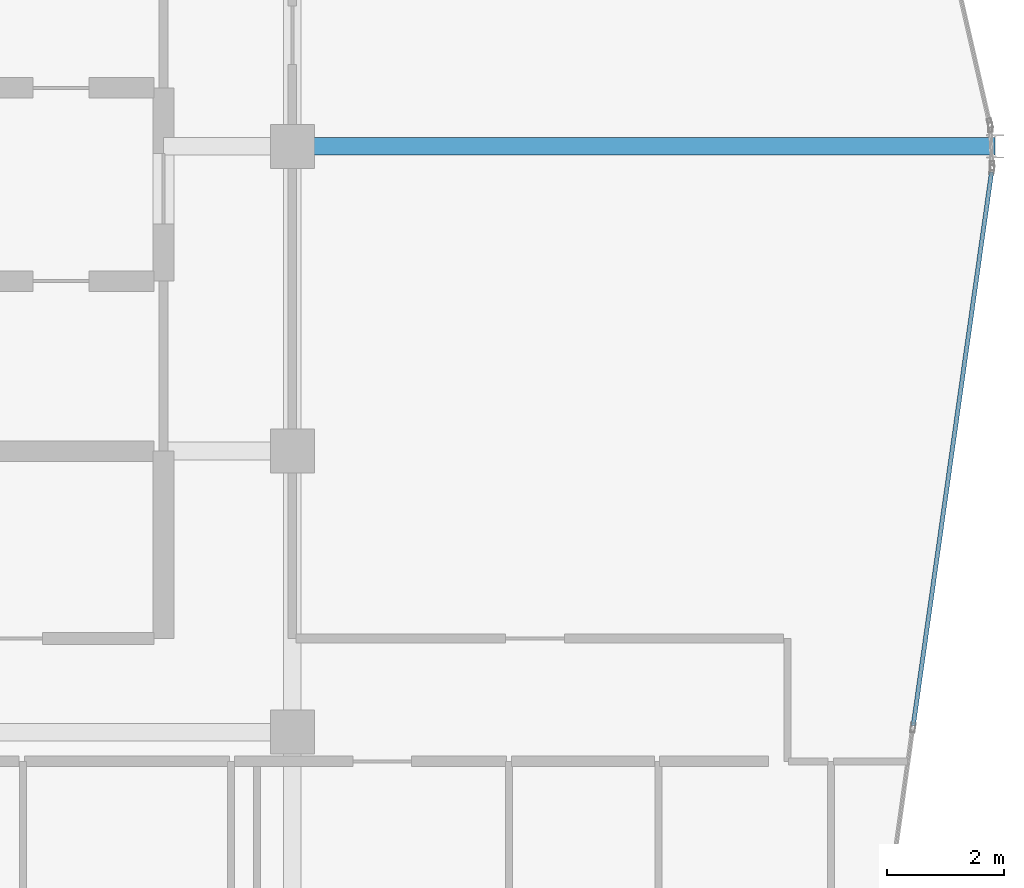
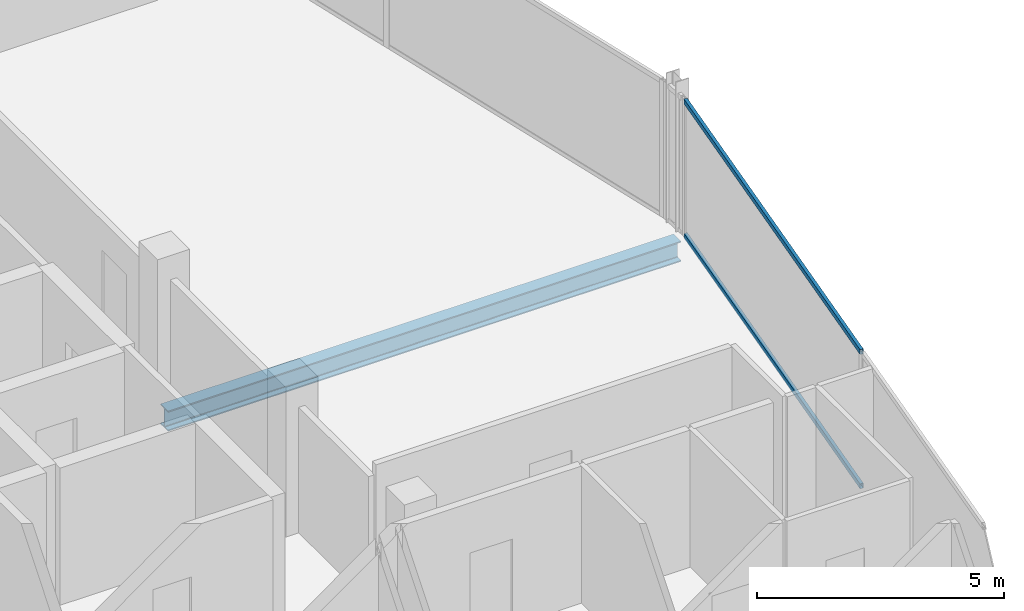
# One storey, part 13 of 27: 2 members, 1 beam, 1 element without a shape of its own.
"""IFC4 building model written with IfcOpenShell, lengths in metres."""

from ifc_helpers import new_model, si_unit, direction, frame, origin, origin_2d, place, context, subcontext, project, spatial, hollow_rectangle, i_section, extrude, material, layer, layer_set, material_profile, profile_set, type_object, element, aggregate, save


model = new_model("IFC4")

# Units and contexts
model_context = context("Model", 3, precision=1e-05, world=origin(), true_north=direction((0.0, 1.0)))
body_context = subcontext(model_context, "Body", "Model", "MODEL_VIEW")
ifc_project = project(units=[si_unit("LENGTHUNIT", "METRE"), si_unit("AREAUNIT", "SQUARE_METRE"), si_unit("VOLUMEUNIT", "CUBIC_METRE"), si_unit("PLANEANGLEUNIT", "RADIAN"), si_unit("MASSUNIT", "GRAM", prefix="KILO")], contexts=[model_context])

# Site, building, storey
site_placement = place(None, origin())
site = spatial("IfcSite", under=ifc_project, at=site_placement, CompositionType="ELEMENT")
building_placement = place(site_placement, origin())
building = spatial("IfcBuilding", under=site, at=building_placement, Name="Keshet Zoharim Tower", CompositionType="ELEMENT")
storey_placement = place(building_placement, frame((0.0, 0.0, 254.699951171875)))
storey = spatial("IfcBuildingStorey", under=building, at=storey_placement, Name="L63", CompositionType="ELEMENT", Elevation=254.699951171875)

# Beam
ifc_material_1 = material(Name="Steel S355", Category="steel")
ifc_material_profile_1 = material_profile(ifc_material_1, i_section(OverallWidth=0.300048828125, OverallDepth=0.5, WebThickness=0.014404296875, FlangeThickness=0.028076171875, FilletRadius=0.027099609375, at=origin_2d()), Name="HEB500")
ifc_profile_set_1 = profile_set([ifc_material_profile_1], Name="Steel S355")
beam_type = type_object("IfcBeamType", Name="BM-MED-HB500", PredefinedType="BEAM", material=ifc_profile_set_1)
beam_placement = place(storey_placement, frame((33.0, 27.89990234375, -0.56005859375), z_axis=(1.0, 0.0, 0.0), x_axis=(0.0, 1.0, 0.0)))
element("IfcBeam", 1, at=beam_placement, inside=storey, type_object=beam_type, Name="L63 Primary Girder X-007", PredefinedType="BEAM", context=body_context, shape_type="SweptSolid", body=[
    extrude(i_section(OverallWidth=0.300048828125, OverallDepth=0.5, WebThickness=0.014404296875, FlangeThickness=0.028076171875, FilletRadius=0.027099609375, at=origin_2d()), origin(), (0.0, 0.0, 1.0), 12.0),
])

# Curtain wall, members
ifc_material_2 = material(Name="Aluminium 6063-T6", Category="aluminium")
ifc_layer = layer(ifc_material_2, 0.260009765625)
ifc_layer_set = layer_set([ifc_layer], Name="Aluminium 6063-T6")
curtain_wall_type = type_object("IfcCurtainWallType", Name="CW-SYS-06", PredefinedType="NOTDEFINED", material=ifc_layer_set)
curtain_wall_placement = place(storey_placement, origin())
curtain_wall = element("IfcCurtainWall", 2, at=curtain_wall_placement, inside=storey, type_object=curtain_wall_type, Name="L63 Unitised Curtain Wall 11", PredefinedType="NOTDEFINED")
ifc_material_profile_2 = material_profile(ifc_material_2, hollow_rectangle(XDim=0.074951171875, YDim=0.1201171875, WallThickness=0.00390625, at=origin_2d()), Name="TRN-75x120")
ifc_profile_set_2 = profile_set([ifc_material_profile_2], Name="Aluminium 6063-T6")
member_type = type_object("IfcMemberType", Name="CWT-T12", PredefinedType="USERDEFINED", material=ifc_profile_set_2)
member_1_placement = place(storey_placement, frame((44.938232421875, 27.462646484375, 0.03515625), z_axis=(-0.140150169695, -0.990130259074, 0.0), x_axis=(0.990130259074, -0.140150169695, 0.0)))
member_1 = element("IfcMember", 3, at=member_1_placement, type_object=member_type, Name="CW-06 transom 1.1", ObjectType="TRANSOM", PredefinedType="USERDEFINED", context=body_context, shape_type="SweptSolid", body=[
    extrude(hollow_rectangle(XDim=0.074951171875, YDim=0.1201171875, WallThickness=0.00390625, at=origin_2d()), origin(), (0.0, 0.0, 1.0), 9.546142578125),
])
member_2_placement = place(storey_placement, frame((44.938232421875, 27.462646484375, 3.35498046875), z_axis=(-0.140150169695, -0.990130259074, 0.0), x_axis=(0.990130259074, -0.140150169695, 0.0)))
member_2 = element("IfcMember", 4, at=member_2_placement, type_object=member_type, Name="CW-06 transom 1.2", ObjectType="TRANSOM", PredefinedType="USERDEFINED", context=body_context, shape_type="SweptSolid", body=[
    extrude(hollow_rectangle(XDim=0.074951171875, YDim=0.1201171875, WallThickness=0.00390625, at=origin_2d()), origin(), (0.0, 0.0, 1.0), 9.546142578125),
])
aggregate(curtain_wall, [member_1, member_2])

save(model, "model.ifc")
